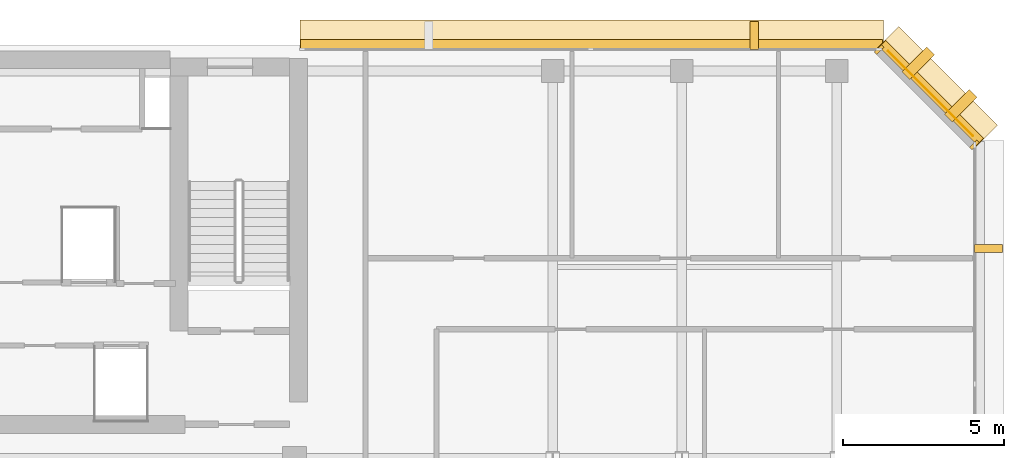
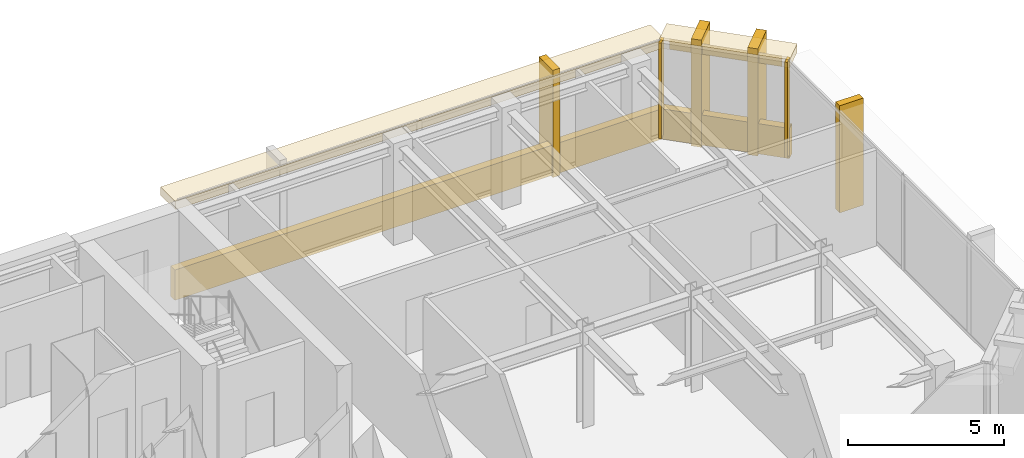
# One storey, part 11 of 11: 11 coverings.
"""IFC4 building model written with IfcOpenShell, lengths in metres."""

from ifc_helpers import new_model, si_unit, direction, frame, origin, origin_2d, place, context, subcontext, project, spatial, rectangle, extrude, material, layer, layer_set, type_object, element, save


model = new_model("IFC4")

# Units and contexts
model_context = context("Model", 3, precision=1e-05, world=origin(), true_north=direction((0.0, 1.0)))
body_context = subcontext(model_context, "Body", "Model", "MODEL_VIEW")
ifc_project = project(units=[si_unit("LENGTHUNIT", "METRE"), si_unit("AREAUNIT", "SQUARE_METRE"), si_unit("VOLUMEUNIT", "CUBIC_METRE"), si_unit("PLANEANGLEUNIT", "RADIAN"), si_unit("MASSUNIT", "GRAM", prefix="KILO")], contexts=[model_context])

# Site, building, storey
site_placement = place(None, origin())
site = spatial("IfcSite", under=ifc_project, at=site_placement, CompositionType="ELEMENT")
building_placement = place(site_placement, origin())
building = spatial("IfcBuilding", under=site, at=building_placement, Name="Kefirva Bronze Tower", CompositionType="ELEMENT")
storey_placement = place(building_placement, frame((0.0, 0.0, 315.81005859375)))
storey = spatial("IfcBuildingStorey", under=building, at=storey_placement, Name="L77", CompositionType="ELEMENT", Elevation=315.81005859375)

# Coverings
ifc_material = material(Name="Bronze anodised aluminium", Category="aluminium")
ifc_layer_1 = layer(ifc_material, 0.02001953125, Name="Bronze anodised aluminium")
ifc_layer_set_1 = layer_set([ifc_layer_1], Name="Bronze anodised aluminium")
covering_type_1 = type_object("IfcCoveringType", Name="Anodised Bronze Spandrel Cladding 20mm", PredefinedType="CLADDING", material=ifc_layer_set_1)
covering_1_placement = place(storey_placement, frame((42.906982421875, 44.507080078125, 3.320068359375), z_axis=(0.0, 0.0, 1.0), x_axis=(-0.707106781187, 0.707106781187, 0.0)))
element("IfcCovering", 1, at=covering_1_placement, inside=storey, type_object=covering_type_1, Name="L77 Bronze Spandrel Cladding 5", PredefinedType="CLADDING", context=body_context, shape_type="SweptSolid", body=[
    extrude(rectangle(XDim=3.719482421875, YDim=0.02001953125, at=origin_2d()), origin(), (0.0, 0.0, 1.0), 0.39990234375),
])
for number, where, z_axis, x_axis, name in (
    (2, (44.26220703125, 42.91162109375, 0.0), (0.0, 0.0, 1.0), (-0.707106781187, 0.707106781187, 0.0), "L77 Facade Joint Closure Panel 5S"),
    (3, (41.311767578125, 45.862060546875, 0.0), (0.0, 0.0, 1.0), (-0.707106781187, 0.707106781187, 0.0), "L77 Facade Joint Closure Panel 5E"),
):
    element("IfcCovering", number, at=place(storey_placement, frame(where, z_axis=z_axis, x_axis=x_axis)), inside=storey, type_object=covering_type_1, Name=name, PredefinedType="CLADDING", context=body_context, shape_type="SweptSolid", body=[
        extrude(rectangle(XDim=0.10009765625, YDim=0.320068359375, at=origin_2d()), origin(), (0.0, 0.0, 1.0), 3.739990234375),
    ])
covering_2_placement = place(storey_placement, frame((42.92822265625, 44.5283203125, -0.16015625), z_axis=(0.0, 0.0, 1.0), x_axis=(-0.707106781187, 0.707106781187, 0.0)))
element("IfcCovering", 4, at=covering_2_placement, inside=storey, type_object=covering_type_1, Name="L77 Streamline Horizontal Spandrel Band 7", PredefinedType="CLADDING", context=body_context, shape_type="SweptSolid", body=[
    extrude(rectangle(XDim=4.28271484375, YDim=0.280029296875, at=origin_2d()), origin(), (0.0, 0.0, 1.0), 1.179931640625),
])
covering_3_placement = place(storey_placement, frame((32.402587890625, 46.0400390625, -0.16015625), z_axis=(0.0, 0.0, 1.0), x_axis=(-1.0, 0.0, 0.0)))
element("IfcCovering", 5, at=covering_3_placement, inside=storey, type_object=covering_type_1, Name="L77 Streamline Horizontal Spandrel Band 8", PredefinedType="CLADDING", context=body_context, shape_type="SweptSolid", body=[
    extrude(rectangle(XDim=18.034912109375, YDim=0.280029296875, at=origin_2d()), origin(), (0.0, 0.0, 1.0), 1.179931640625),
])
ifc_layer_2 = layer(ifc_material, 0.179931640625, Name="Bronze anodised aluminium")
ifc_layer_set_2 = layer_set([ifc_layer_2], Name="Bronze anodised aluminium")
covering_type_2 = type_object("IfcCoveringType", Name="Streamline Bronze Sunshade Eyebrow Cladding 180mm", PredefinedType="CLADDING", material=ifc_layer_set_2)
covering_4_placement = place(storey_placement, frame((43.119140625, 44.71923828125, 3.419921875), z_axis=(0.0, 0.0, 1.0), x_axis=(-0.707106781187, 0.707106781187, 0.0)))
element("IfcCovering", 6, at=covering_4_placement, inside=storey, type_object=covering_type_2, Name="L77 Streamline Bronze Sunshade Eyebrow 7", PredefinedType="CLADDING", context=body_context, shape_type="SweptSolid", body=[
    extrude(rectangle(XDim=4.322509765625, YDim=0.93994140625, at=origin_2d()), origin(), (0.0, 0.0, 1.0), 0.320068359375),
])
covering_5_placement = place(storey_placement, frame((32.402587890625, 46.31005859375, 3.419921875), z_axis=(0.0, 0.0, 1.0), x_axis=(-1.0, 0.0, 0.0)))
element("IfcCovering", 7, at=covering_5_placement, inside=storey, type_object=covering_type_2, Name="L77 Streamline Bronze Sunshade Eyebrow 8", PredefinedType="CLADDING", context=body_context, shape_type="SweptSolid", body=[
    extrude(rectangle(XDim=18.074951171875, YDim=0.93994140625, at=origin_2d()), origin(), (0.0, 0.0, 1.0), 0.320068359375),
])
ifc_layer_3 = layer(ifc_material, 0.260009765625, Name="Bronze anodised aluminium")
ifc_layer_set_3 = layer_set([ifc_layer_3], Name="Bronze anodised aluminium")
covering_type_3 = type_object("IfcCoveringType", Name="Unbroken Bronze Buttress Fin Cladding 260mm", PredefinedType="CLADDING", material=ifc_layer_set_3)
covering_6_placement = place(storey_placement, frame((44.699951171875, 39.699951171875, -0.22021484375), z_axis=(0.0, 0.0, 1.0), x_axis=(0.0, 1.0, 0.0)))
element("IfcCovering", 8, at=covering_6_placement, inside=storey, type_object=covering_type_3, Name="L77 Unbroken Vertical Bronze Rib Fin 14", PredefinedType="CLADDING", context=body_context, shape_type="SweptSolid", body=[
    extrude(rectangle(XDim=0.260009765625, YDim=0.8798828125, at=origin_2d()), origin(), (0.0, 0.0, 1.0), 4.179931640625),
])
for number, where, z_axis, x_axis, name in (
    (9, (43.8427734375, 44.122802734375, -0.22021484375), (0.0, 0.0, 1.0), (-0.707106781187, 0.707106781187, 0.0), "L77 Chamfered Corner Buttress Fin Cladding 15"),
    (10, (42.522705078125, 45.44287109375, -0.22021484375), (0.0, 0.0, 1.0), (-0.707106781187, 0.707106781187, 0.0), "L77 Chamfered Corner Buttress Fin Cladding 16"),
):
    element("IfcCovering", number, at=place(storey_placement, frame(where, z_axis=z_axis, x_axis=x_axis)), inside=storey, type_object=covering_type_3, Name=name, PredefinedType="CLADDING", context=body_context, shape_type="SweptSolid", body=[
        extrude(rectangle(XDim=0.340087890625, YDim=1.080078125, at=origin_2d()), origin(), (0.0, 0.0, 1.0), 4.179931640625),
    ])
covering_7_placement = place(storey_placement, frame((37.441162109375, 46.300048828125, -0.22021484375), z_axis=(0.0, 0.0, 1.0), x_axis=(-1.0, 0.0, 0.0)))
element("IfcCovering", 11, at=covering_7_placement, inside=storey, type_object=covering_type_3, Name="L77 Unbroken Vertical Bronze Rib Fin 17", PredefinedType="CLADDING", context=body_context, shape_type="SweptSolid", body=[
    extrude(rectangle(XDim=0.260009765625, YDim=0.8798828125, at=origin_2d()), origin(), (0.0, 0.0, 1.0), 4.179931640625),
])

save(model, "model.ifc")
